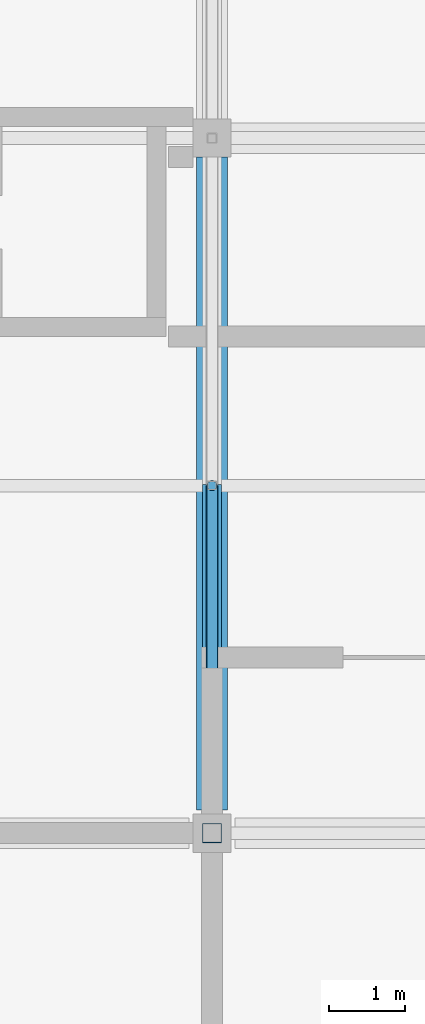
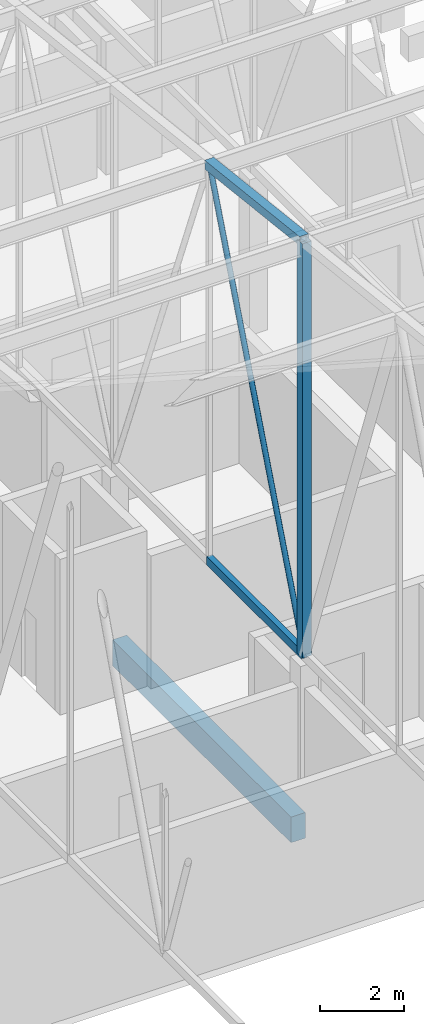
# One storey, part 207 of 500: 4 members, 1 beam.
"""IFC4 building model written with IfcOpenShell, lengths in metres."""

from ifc_helpers import new_model, si_unit, direction, frame, origin, origin_2d, place, context, subcontext, project, spatial, rectangle, hollow_rectangle, hollow_circle, extrude, material, material_profile, profile_set, type_object, element, save


model = new_model("IFC4")

# Units and contexts
model_context = context("Model", 3, precision=1e-05, world=origin(), true_north=direction((0.0, 1.0)))
body_context = subcontext(model_context, "Body", "Model", "MODEL_VIEW")
ifc_project = project(units=[si_unit("LENGTHUNIT", "METRE"), si_unit("AREAUNIT", "SQUARE_METRE"), si_unit("VOLUMEUNIT", "CUBIC_METRE"), si_unit("PLANEANGLEUNIT", "RADIAN"), si_unit("MASSUNIT", "GRAM", prefix="KILO")], contexts=[model_context])

# Site, building, storey
site_placement = place(None, origin())
site = spatial("IfcSite", under=ifc_project, at=site_placement, CompositionType="ELEMENT")
building_placement = place(site_placement, origin())
building = spatial("IfcBuilding", under=site, at=building_placement, Name="Shirokan Park Arena", CompositionType="ELEMENT")
storey_placement = place(building_placement, frame((0.0, 0.0, 29.1201171875)))
storey = spatial("IfcBuildingStorey", under=building, at=storey_placement, Name="L06", CompositionType="ELEMENT", Elevation=29.1201171875)

# Member
ifc_material_1 = material(Name="Steel ASTM A500 Grade C", Category="steel")
ifc_material_profile_1 = material_profile(ifc_material_1, hollow_rectangle(XDim=0.152099609375, YDim=0.25390625, WallThickness=0.009521484375, at=origin_2d()), Name="HSS254X152.4X9.5")
ifc_profile_set_1 = profile_set([ifc_material_profile_1], Name="Steel ASTM A500 Grade C")
member_type_1 = type_object("IfcMemberType", Name="Bottom chord HSS254X152.4X9.5", PredefinedType="CHORD", material=ifc_profile_set_1)
member_1_placement = place(storey_placement, frame((27.300048828125, 72.800048828125, 4.677001953125), z_axis=(0.0, 1.0, 0.0), x_axis=(-1.0, 0.0, 0.0)))
element("IfcMember", 1, at=member_1_placement, inside=storey, type_object=member_type_1, Name="Truss T04 bottom chord 19", PredefinedType="CHORD", context=body_context, shape_type="SweptSolid", body=[
    extrude(hollow_rectangle(XDim=0.152099609375, YDim=0.25390625, WallThickness=0.009521484375, at=origin_2d()), origin(), (0.0, 0.0, 1.0), 4.550048828125),
])

# Beam
ifc_material_2 = material(Name="Concrete C35", Category="concrete")
ifc_material_profile_2 = material_profile(ifc_material_2, rectangle(XDim=0.39990234375, YDim=0.75, at=origin_2d()), Name="400x750")
ifc_profile_set_2 = profile_set([ifc_material_profile_2], Name="Concrete C35")
beam_type = type_object("IfcBeamType", Name="RC girder 400x750", PredefinedType="BEAM", material=ifc_profile_set_2)
beam_placement = place(storey_placement, frame((27.300048828125, 73.10009765625, -0.5751953125), z_axis=(0.0, 1.0, 0.0), x_axis=(-1.0, 0.0, 0.0)))
element("IfcBeam", 2, at=beam_placement, inside=storey, type_object=beam_type, Name="Girder 4J-4K L06", PredefinedType="BEAM", context=body_context, shape_type="SweptSolid", body=[
    extrude(rectangle(XDim=0.39990234375, YDim=0.75, at=origin_2d()), origin(), (0.0, 0.0, 1.0), 8.5498046875),
])

# Members
ifc_material_profile_3 = material_profile(ifc_material_1, hollow_rectangle(XDim=0.25390625, YDim=0.25390625, WallThickness=0.009521484375, at=origin_2d()), Name="HSS254X254X9.5")
ifc_profile_set_3 = profile_set([ifc_material_profile_3], Name="Steel ASTM A500 Grade C")
member_type_2 = type_object("IfcMemberType", Name="Top chord HSS254X254X9.5", PredefinedType="CHORD", material=ifc_profile_set_3)
member_2_placement = place(storey_placement, frame((27.300048828125, 72.800048828125, 16.782958984375), z_axis=(0.0, 0.993532328996, -0.113549598152), x_axis=(-1.0, 0.0, 0.0)))
element("IfcMember", 3, at=member_2_placement, inside=storey, type_object=member_type_2, Name="Truss T04 top chord 19", PredefinedType="CHORD", context=body_context, shape_type="SweptSolid", body=[
    extrude(hollow_rectangle(XDim=0.25390625, YDim=0.25390625, WallThickness=0.009521484375, at=origin_2d()), origin(), (0.0, 0.0, 1.0), 4.57958984375),
])
ifc_material_profile_4 = material_profile(ifc_material_1, hollow_circle(Radius=0.070556640625, WallThickness=0.006591796875, at=origin_2d()), Name="HSS141.3X6.6")
ifc_profile_set_4 = profile_set([ifc_material_profile_4], Name="Steel ASTM A500 Grade C")
member_type_3 = type_object("IfcMemberType", Name="Truss diagonal HSS141.3X6.6", PredefinedType="BRACE", material=ifc_profile_set_4)
member_3_placement = place(storey_placement, frame((27.300048828125, 72.800048828125, 4.677001953125), z_axis=(0.0, 0.365543139237, 0.930794399079), x_axis=(-1.0, 0.0, 0.0)))
element("IfcMember", 4, at=member_3_placement, inside=storey, type_object=member_type_3, Name="Truss T04 diagonal 19", PredefinedType="BRACE", context=body_context, shape_type="SweptSolid", body=[
    extrude(hollow_circle(Radius=0.070556640625, WallThickness=0.006591796875, at=origin_2d()), origin(), (0.0, 0.0, 1.0), 12.447265625),
])
ifc_material_profile_5 = material_profile(ifc_material_1, hollow_rectangle(XDim=0.25390625, YDim=0.25390625, WallThickness=0.009521484375, at=origin_2d()), Name="HSS254X254X9.5")
ifc_profile_set_5 = profile_set([ifc_material_profile_5], Name="Steel ASTM A500 Grade C")
member_type_4 = type_object("IfcMemberType", Name="Truss post HSS254X254X9.5", PredefinedType="POST", material=ifc_profile_set_5)
member_4_placement = place(storey_placement, frame((27.300048828125, 72.800048828125, 4.677001953125), z_axis=(0.0, 0.0, 1.0), x_axis=(1.0, 0.0, 0.0)))
element("IfcMember", 5, at=member_4_placement, inside=storey, type_object=member_type_4, Name="Truss T04 post 19", PredefinedType="POST", context=body_context, shape_type="SweptSolid", body=[
    extrude(hollow_rectangle(XDim=0.25390625, YDim=0.25390625, WallThickness=0.009521484375, at=origin_2d()), origin(), (0.0, 0.0, 1.0), 12.10595703125),
])

save(model, "model.ifc")
